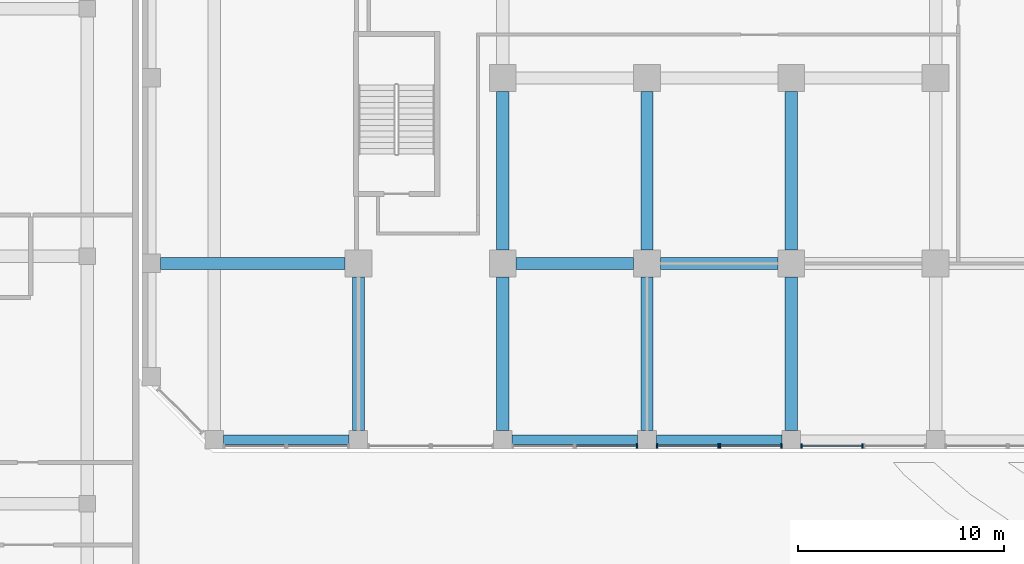
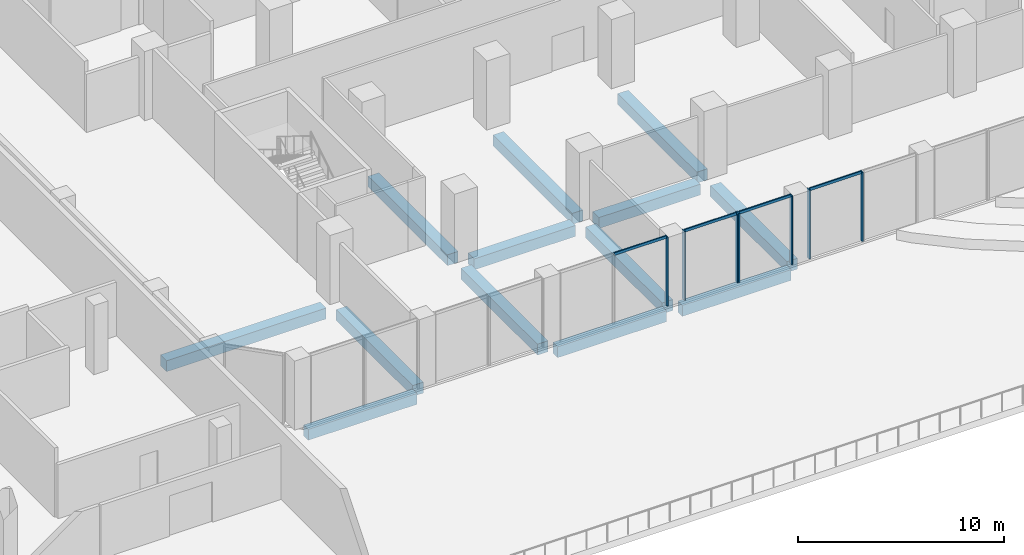
# One storey, part 3 of 38: 13 beams, 11 members, 4 elements without a shape of their own.
"""IFC4 building model written with IfcOpenShell, lengths in metres."""

from ifc_helpers import new_model, si_unit, direction, frame, origin, origin_2d, place, context, subcontext, project, spatial, rectangle, extrude, source, transform, mapped, material, material_profile, profile_set, type_object, element, aggregate, save


model = new_model("IFC4")

# Units and contexts
model_context = context("Model", 3, precision=1e-05, world=origin(), true_north=direction((0.0, 1.0)))
body_context = subcontext(model_context, "Body", "Model", "MODEL_VIEW")
ifc_project = project(units=[si_unit("LENGTHUNIT", "METRE"), si_unit("AREAUNIT", "SQUARE_METRE"), si_unit("VOLUMEUNIT", "CUBIC_METRE"), si_unit("PLANEANGLEUNIT", "RADIAN"), si_unit("MASSUNIT", "GRAM", prefix="KILO")], contexts=[model_context])

# Site, building, storey
site_placement = place(None, origin())
site = spatial("IfcSite", under=ifc_project, at=site_placement, CompositionType="ELEMENT")
building_placement = place(site_placement, origin())
building = spatial("IfcBuilding", under=site, at=building_placement, Name="Kilnfold Tower and Market Hall", CompositionType="ELEMENT")
storey_placement = place(building_placement, frame((0.0, 0.0, 9.0)))
storey = spatial("IfcBuildingStorey", under=building, at=storey_placement, Name="L01", CompositionType="ELEMENT", Elevation=9.0)

# Beams
ifc_material_1 = material(Name="Concrete C45", Category="concrete")
ifc_material_profile_1 = material_profile(ifc_material_1, rectangle(XDim=0.449951171875, YDim=0.64990234375, at=origin_2d()), Name="RC 450x650")
ifc_profile_set_1 = profile_set([ifc_material_profile_1], Name="Concrete C45")
beam_type_1 = type_object("IfcBeamType", Name="EDGE BEAM 450X650 C45", PredefinedType="BEAM", material=ifc_profile_set_1)
shared_shape_1 = source(origin(), body_context, "Body", "SweptSolid", [
    extrude(rectangle(XDim=0.449951171875, YDim=0.64990234375, at=origin_2d()), origin(), (0.0, 0.0, 1.0), 6.10009765625),
])
for number, where, z_axis, x_axis, name in (
    (1, (-24.050048828125, -27.550048828125, -0.72509765625), (1.0, 0.0, 0.0), (0.0, 1.0, 0.0), "Beam EB650-B1.1"),
    (2, (-10.050048828125, -27.550048828125, -0.72509765625), (1.0, 0.0, 0.0), (0.0, 1.0, 0.0), "Beam EB650-B1.2"),
    (3, (-3.050048828125, -27.550048828125, -0.72509765625), (1.0, 0.0, 0.0), (0.0, 1.0, 0.0), "Beam EB650-B1.3"),
):
    element("IfcBeam", number, at=place(storey_placement, frame(where, z_axis=z_axis, x_axis=x_axis)), inside=storey, type_object=beam_type_1, Name=name, PredefinedType="BEAM", context=body_context, shape_type="MappedRepresentation", body=[
        mapped(shared_shape_1, transform((0.0, 0.0, 0.0))),
    ])
ifc_material_2 = material(Name="Concrete C45", Category="concrete")
ifc_material_profile_2 = material_profile(ifc_material_2, rectangle(XDim=0.60009765625, YDim=0.64990234375, at=origin_2d()), Name="RC 600x650")
ifc_profile_set_2 = profile_set([ifc_material_profile_2], Name="Concrete C45")
beam_type_2 = type_object("IfcBeamType", Name="BEAM 600X650 C45", PredefinedType="BEAM", material=ifc_profile_set_2)
shared_shape_2 = source(origin(), body_context, "Body", "SweptSolid", [
    extrude(rectangle(XDim=0.60009765625, YDim=0.64990234375, at=origin_2d()), origin(), (0.0, 0.0, 1.0), 8.9501953125),
])
beam_placement = place(storey_placement, frame((-27.10009765625, -19.0, -0.72509765625), z_axis=(1.0, 0.0, 0.0), x_axis=(0.0, 1.0, 0.0)))
element("IfcBeam", 4, at=beam_placement, inside=storey, type_object=beam_type_2, Name="Beam BB650-B1.7", PredefinedType="BEAM", context=body_context, shape_type="MappedRepresentation", body=[
    mapped(shared_shape_2, transform((0.0, 0.0, 0.0))),
])
shared_shape_3 = source(origin(), body_context, "Body", "SweptSolid", [
    extrude(rectangle(XDim=0.60009765625, YDim=0.64990234375, at=origin_2d()), origin(), (0.0, 0.0, 1.0), 5.7001953125),
])
for number, where, z_axis, x_axis, name in (
    (5, (-9.85009765625, -19.0, -0.72509765625), (1.0, 0.0, 0.0), (0.0, 1.0, 0.0), "Beam BB650-B1.8"),
    (6, (-2.85009765625, -19.0, -0.72509765625), (1.0, 0.0, 0.0), (0.0, 1.0, 0.0), "Beam BB650-B1.9"),
):
    element("IfcBeam", number, at=place(storey_placement, frame(where, z_axis=z_axis, x_axis=x_axis)), inside=storey, type_object=beam_type_2, Name=name, PredefinedType="BEAM", context=body_context, shape_type="MappedRepresentation", body=[
        mapped(shared_shape_3, transform((0.0, 0.0, 0.0))),
    ])
shared_shape_4 = source(origin(), body_context, "Body", "SweptSolid", [
    extrude(rectangle(XDim=0.60009765625, YDim=0.64990234375, at=origin_2d()), origin(), (0.0, 0.0, 1.0), 7.4501953125),
])
for number, where, z_axis, x_axis, name in (
    (7, (-17.5, -27.10009765625, -0.72509765625), (0.0, 1.0, 0.0), (-1.0, 0.0, 0.0), "Beam BB650-B1.36"),
    (8, (-10.5, -27.10009765625, -0.72509765625), (0.0, 1.0, 0.0), (-1.0, 0.0, 0.0), "Beam BB650-B1.40"),
    (9, (-3.5, -27.10009765625, -0.72509765625), (0.0, 1.0, 0.0), (-1.0, 0.0, 0.0), "Beam BB650-B1.43"),
    (10, (3.5, -27.10009765625, -0.72509765625), (0.0, 1.0, 0.0), (-1.0, 0.0, 0.0), "Beam BB650-B1.45"),
):
    element("IfcBeam", number, at=place(storey_placement, frame(where, z_axis=z_axis, x_axis=x_axis)), inside=storey, type_object=beam_type_2, Name=name, PredefinedType="BEAM", context=body_context, shape_type="MappedRepresentation", body=[
        mapped(shared_shape_4, transform((0.0, 0.0, 0.0))),
    ])
shared_shape_5 = source(origin(), body_context, "Body", "SweptSolid", [
    extrude(rectangle(XDim=0.60009765625, YDim=0.64990234375, at=origin_2d()), origin(), (0.0, 0.0, 1.0), 7.7001953125),
])
for number, where, z_axis, x_axis, name in (
    (11, (-10.5, -18.35009765625, -0.72509765625), (0.0, 1.0, 0.0), (-1.0, 0.0, 0.0), "Beam BB650-B1.41"),
    (12, (-3.5, -18.35009765625, -0.72509765625), (0.0, 1.0, 0.0), (-1.0, 0.0, 0.0), "Beam BB650-B1.44"),
    (13, (3.5, -18.35009765625, -0.72509765625), (0.0, 1.0, 0.0), (-1.0, 0.0, 0.0), "Beam BB650-B1.46"),
):
    element("IfcBeam", number, at=place(storey_placement, frame(where, z_axis=z_axis, x_axis=x_axis)), inside=storey, type_object=beam_type_2, Name=name, PredefinedType="BEAM", context=body_context, shape_type="MappedRepresentation", body=[
        mapped(shared_shape_5, transform((0.0, 0.0, 0.0))),
    ])

# Curtain wall, member
ifc_material_3 = material(Name="Aluminium and double glazing", Category="aluminium")
curtain_wall_type = type_object("IfcCurtainWallType", Name="CW BASE PODIUM GLAZING", PredefinedType="NOTDEFINED", material=ifc_material_3)
curtain_wall_1_placement = place(storey_placement, origin())
curtain_wall_1 = element("IfcCurtainWall", 14, at=curtain_wall_1_placement, inside=storey, type_object=curtain_wall_type, Name="Curtain wall CW4 L01 S", PredefinedType="NOTDEFINED")
ifc_material_4 = material(Name="Aluminium", Category="aluminium")
ifc_material_profile_3 = material_profile(ifc_material_4, rectangle(XDim=0.070068359375, YDim=0.219970703125, at=origin_2d()), Name="MULLION 70x220")
ifc_profile_set_3 = profile_set([ifc_material_profile_3], Name="Aluminium")
member_type_1 = type_object("IfcMemberType", Name="MULLION 70X220", PredefinedType="MULLION", material=ifc_profile_set_3)
shared_shape_6 = source(origin(), body_context, "Body", "SweptSolid", [
    extrude(rectangle(XDim=0.070068359375, YDim=0.219970703125, at=origin_2d()), origin(), (0.0, 0.0, 1.0), 4.10009765625),
])
member_1_placement = place(storey_placement, frame((-3.985107421875, -27.85009765625, 0.0), z_axis=(0.0, 0.0, 1.0), x_axis=(1.0, 0.0, 0.0)))
member_1 = element("IfcMember", 15, at=member_1_placement, type_object=member_type_1, Name="CW4 mullion 2", PredefinedType="MULLION", context=body_context, shape_type="MappedRepresentation", body=[
    mapped(shared_shape_6, transform((0.0, 0.0, 0.0))),
])

# Curtain wall, members
curtain_wall_2_placement = place(storey_placement, origin())
curtain_wall_2 = element("IfcCurtainWall", 16, at=curtain_wall_2_placement, inside=storey, type_object=curtain_wall_type, Name="Curtain wall CW4 L01 S", PredefinedType="NOTDEFINED")
member_2_placement = place(storey_placement, frame((-3.014892578125, -27.85009765625, 0.0), z_axis=(0.0, 0.0, 1.0), x_axis=(1.0, 0.0, 0.0)))
member_2 = element("IfcMember", 17, at=member_2_placement, type_object=member_type_1, Name="CW4 mullion 1", PredefinedType="MULLION", context=body_context, shape_type="MappedRepresentation", body=[
    mapped(shared_shape_6, transform((0.0, 0.0, 0.0))),
])
member_3_placement = place(storey_placement, frame((-0.034912109375, -27.85009765625, 0.0), z_axis=(0.0, 0.0, 1.0), x_axis=(1.0, 0.0, 0.0)))
member_3 = element("IfcMember", 18, at=member_3_placement, type_object=member_type_1, Name="CW4 mullion 2", PredefinedType="MULLION", context=body_context, shape_type="MappedRepresentation", body=[
    mapped(shared_shape_6, transform((0.0, 0.0, 0.0))),
])

curtain_wall_3_placement = place(storey_placement, origin())
curtain_wall_3 = element("IfcCurtainWall", 19, at=curtain_wall_3_placement, inside=storey, type_object=curtain_wall_type, Name="Curtain wall CW4 L01 S", PredefinedType="NOTDEFINED")
member_4_placement = place(storey_placement, frame((0.034912109375, -27.85009765625, 0.0), z_axis=(0.0, 0.0, 1.0), x_axis=(1.0, 0.0, 0.0)))
member_4 = element("IfcMember", 20, at=member_4_placement, type_object=member_type_1, Name="CW4 mullion 1", PredefinedType="MULLION", context=body_context, shape_type="MappedRepresentation", body=[
    mapped(shared_shape_6, transform((0.0, 0.0, 0.0))),
])
member_5_placement = place(storey_placement, frame((3.014892578125, -27.85009765625, 0.0), z_axis=(0.0, 0.0, 1.0), x_axis=(1.0, 0.0, 0.0)))
member_5 = element("IfcMember", 21, at=member_5_placement, type_object=member_type_1, Name="CW4 mullion 2", PredefinedType="MULLION", context=body_context, shape_type="MappedRepresentation", body=[
    mapped(shared_shape_6, transform((0.0, 0.0, 0.0))),
])

curtain_wall_4_placement = place(storey_placement, origin())
curtain_wall_4 = element("IfcCurtainWall", 22, at=curtain_wall_4_placement, inside=storey, type_object=curtain_wall_type, Name="Curtain wall CW4 L01 S", PredefinedType="NOTDEFINED")
member_6_placement = place(storey_placement, frame((3.985107421875, -27.85009765625, 0.0), z_axis=(0.0, 0.0, 1.0), x_axis=(1.0, 0.0, 0.0)))
member_6 = element("IfcMember", 23, at=member_6_placement, type_object=member_type_1, Name="CW4 mullion 1", PredefinedType="MULLION", context=body_context, shape_type="MappedRepresentation", body=[
    mapped(shared_shape_6, transform((0.0, 0.0, 0.0))),
])
member_7_placement = place(storey_placement, frame((6.965087890625, -27.85009765625, 0.0), z_axis=(0.0, 0.0, 1.0), x_axis=(1.0, 0.0, 0.0)))
member_7 = element("IfcMember", 24, at=member_7_placement, type_object=member_type_1, Name="CW4 mullion 2", PredefinedType="MULLION", context=body_context, shape_type="MappedRepresentation", body=[
    mapped(shared_shape_6, transform((0.0, 0.0, 0.0))),
])

# Member
ifc_material_5 = material(Name="Aluminium", Category="aluminium")
ifc_material_profile_4 = material_profile(ifc_material_5, rectangle(XDim=0.070068359375, YDim=0.159912109375, at=origin_2d()), Name="TRANSOM 70x160")
ifc_profile_set_4 = profile_set([ifc_material_profile_4], Name="Aluminium")
member_type_2 = type_object("IfcMemberType", Name="TRANSOM 70X160", PredefinedType="USERDEFINED", material=ifc_profile_set_4)
shared_shape_7 = source(origin(), body_context, "Body", "SweptSolid", [
    extrude(rectangle(XDim=0.070068359375, YDim=0.159912109375, at=origin_2d()), origin(), (0.0, 0.0, 1.0), 2.909912109375),
])
member_8_placement = place(storey_placement, frame((-6.929931640625, -27.85009765625, 4.06494140625), z_axis=(1.0, 0.0, 0.0), x_axis=(0.0, 1.0, 0.0)))
member_8 = element("IfcMember", 25, at=member_8_placement, type_object=member_type_2, Name="CW4 transom 1.2", ObjectType="TRANSOM", PredefinedType="USERDEFINED", context=body_context, shape_type="MappedRepresentation", body=[
    mapped(shared_shape_7, transform((0.0, 0.0, 0.0))),
])

aggregate(curtain_wall_1, [member_1, member_8])

member_9_placement = place(storey_placement, frame((-2.97998046875, -27.85009765625, 4.06494140625), z_axis=(1.0, 0.0, 0.0), x_axis=(0.0, 1.0, 0.0)))
member_9 = element("IfcMember", 26, at=member_9_placement, type_object=member_type_2, Name="CW4 transom 1.2", ObjectType="TRANSOM", PredefinedType="USERDEFINED", context=body_context, shape_type="MappedRepresentation", body=[
    mapped(shared_shape_7, transform((0.0, 0.0, 0.0))),
])

aggregate(curtain_wall_2, [member_2, member_3, member_9])

member_10_placement = place(storey_placement, frame((0.070068359375, -27.85009765625, 4.06494140625), z_axis=(1.0, 0.0, 0.0), x_axis=(0.0, 1.0, 0.0)))
member_10 = element("IfcMember", 27, at=member_10_placement, type_object=member_type_2, Name="CW4 transom 1.2", ObjectType="TRANSOM", PredefinedType="USERDEFINED", context=body_context, shape_type="MappedRepresentation", body=[
    mapped(shared_shape_7, transform((0.0, 0.0, 0.0))),
])

aggregate(curtain_wall_3, [member_4, member_5, member_10])

member_11_placement = place(storey_placement, frame((4.02001953125, -27.85009765625, 4.06494140625), z_axis=(1.0, 0.0, 0.0), x_axis=(0.0, 1.0, 0.0)))
member_11 = element("IfcMember", 28, at=member_11_placement, type_object=member_type_2, Name="CW4 transom 1.2", ObjectType="TRANSOM", PredefinedType="USERDEFINED", context=body_context, shape_type="MappedRepresentation", body=[
    mapped(shared_shape_7, transform((0.0, 0.0, 0.0))),
])

aggregate(curtain_wall_4, [member_6, member_7, member_11])

save(model, "model.ifc")
